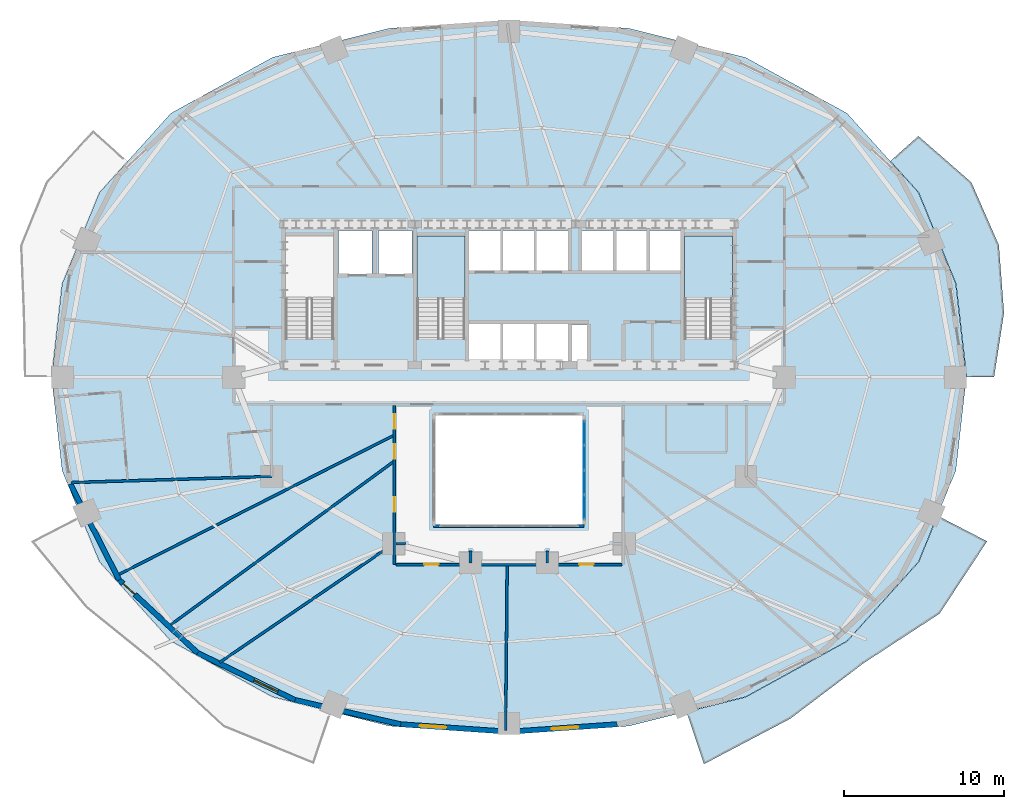
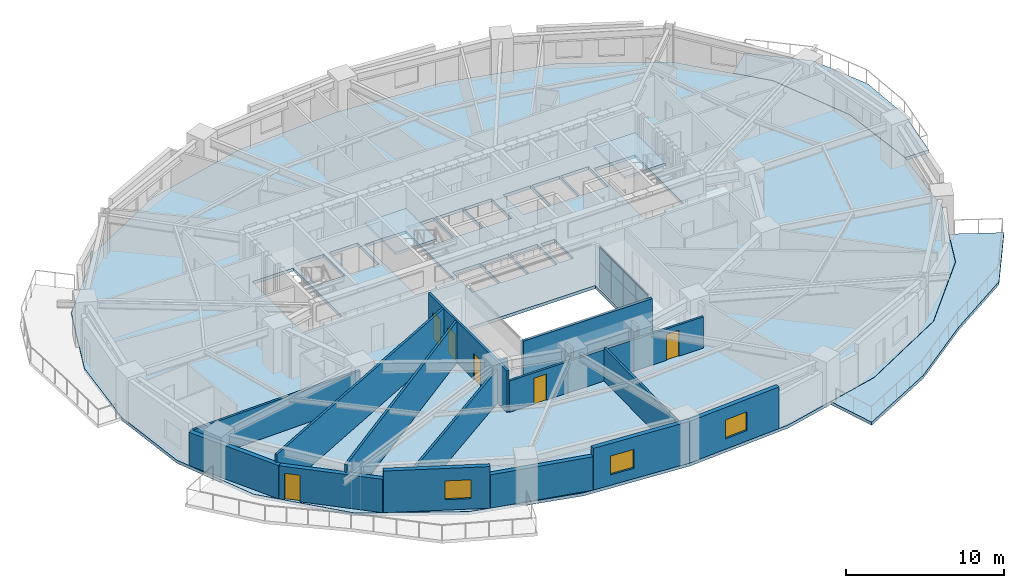
# One storey, part 7 of 15: 17 walls, 8 plates, 6 doors, 5 slabs, 3 windows, 9 openings, 3 elements without a shape of their own.
"""IFC4 building model written with IfcOpenShell, lengths in metres."""

from ifc_helpers import new_model, si_unit, direction, frame, frame_2d, origin, origin_2d, place, context, subcontext, project, spatial, polyline, rectangle, outline, extrude, material, layer, layer_set, type_object, element, fill, aggregate, save


model = new_model("IFC4")

# Units and contexts
model_context = context("Model", 3, precision=1e-05, world=origin(), true_north=direction((0.0, 1.0)))
body_context = subcontext(model_context, "Body", "Model", "MODEL_VIEW")
ifc_project = project(units=[si_unit("LENGTHUNIT", "METRE"), si_unit("AREAUNIT", "SQUARE_METRE"), si_unit("VOLUMEUNIT", "CUBIC_METRE"), si_unit("PLANEANGLEUNIT", "RADIAN"), si_unit("MASSUNIT", "GRAM", prefix="KILO")], contexts=[model_context])

# Site, building, storey
site_placement = place(None, origin())
site = spatial("IfcSite", under=ifc_project, at=site_placement, CompositionType="ELEMENT")
building_placement = place(site_placement, origin())
building = spatial("IfcBuilding", under=site, at=building_placement, Name="Haldorwick Loom Tower", CompositionType="ELEMENT")
storey_placement = place(building_placement, frame((0.0, 0.0, 92.14990234375)))
storey = spatial("IfcBuildingStorey", under=building, at=storey_placement, Name="L24", CompositionType="ELEMENT", Elevation=92.14990234375)

# Curtain wall, plates
ifc_material_1 = material(Name="Thermally Broken Anodized Aluminium Curtain Wall Framing", Category="aluminium")
curtain_wall_type = type_object("IfcCurtainWallType", Name="ARC-CW-03", PredefinedType="NOTDEFINED", material=ifc_material_1)
curtain_wall_placement = place(storey_placement, origin())
curtain_wall = element("IfcCurtainWall", 1, at=curtain_wall_placement, inside=storey, type_object=curtain_wall_type, Name="L24 Atrium Glazed Screen E", PredefinedType="NOTDEFINED")
ifc_material_2 = material(Name="Triple-Glazed Low-E Argon Insulated Glazing Unit", Category="glass")
ifc_layer_1 = layer(ifc_material_2, 0.04296875, Name="Triple-Glazed Low-E Argon Insulated Glazing Unit", Category="glass")
ifc_layer_set_1 = layer_set([ifc_layer_1], Name="Triple-Glazed Low-E Argon Insulated Glazing Unit")
plate_type = type_object("IfcPlateType", Name="ARC-CWP-03", PredefinedType="CURTAIN_PANEL", material=ifc_layer_set_1)
plate_1_placement = place(storey_placement, frame((40.699951171875, 22.508544921875, 0.066162109375), z_axis=(0.0, 0.0, 1.0), x_axis=(0.0, -1.0, 0.0)))
plate_1 = element("IfcPlate", 2, at=plate_1_placement, type_object=plate_type, Name="CW-03 panel 1.1", PredefinedType="CURTAIN_PANEL", context=body_context, shape_type="SweptSolid", body=[
    extrude(rectangle(XDim=1.450927734375, YDim=0.04296875, at=origin_2d()), origin(), (0.0, 0.0, 1.0), 1.90087890625),
])
plate_2_placement = place(storey_placement, frame((40.699951171875, 22.508544921875, 2.033203125), z_axis=(0.0, 0.0, 1.0), x_axis=(0.0, -1.0, 0.0)))
plate_2 = element("IfcPlate", 3, at=plate_2_placement, type_object=plate_type, Name="CW-03 panel 1.2", PredefinedType="CURTAIN_PANEL", context=body_context, shape_type="SweptSolid", body=[
    extrude(rectangle(XDim=1.450927734375, YDim=0.04296875, at=origin_2d()), origin(), (0.0, 0.0, 1.0), 1.111083984375),
])
plate_3_placement = place(storey_placement, frame((40.699951171875, 20.97509765625, 0.066162109375), z_axis=(0.0, 0.0, 1.0), x_axis=(0.0, -1.0, 0.0)))
plate_3 = element("IfcPlate", 4, at=plate_3_placement, type_object=plate_type, Name="CW-03 panel 2.1", PredefinedType="CURTAIN_PANEL", context=body_context, shape_type="SweptSolid", body=[
    extrude(rectangle(XDim=1.48388671875, YDim=0.04296875, at=origin_2d()), origin(), (0.0, 0.0, 1.0), 1.90087890625),
])
plate_4_placement = place(storey_placement, frame((40.699951171875, 20.97509765625, 2.033203125), z_axis=(0.0, 0.0, 1.0), x_axis=(0.0, -1.0, 0.0)))
plate_4 = element("IfcPlate", 5, at=plate_4_placement, type_object=plate_type, Name="CW-03 panel 2.2", PredefinedType="CURTAIN_PANEL", context=body_context, shape_type="SweptSolid", body=[
    extrude(rectangle(XDim=1.48388671875, YDim=0.04296875, at=origin_2d()), origin(), (0.0, 0.0, 1.0), 1.111083984375),
])
plate_5_placement = place(storey_placement, frame((40.699951171875, 19.425048828125, 0.066162109375), z_axis=(0.0, 0.0, 1.0), x_axis=(0.0, -1.0, 0.0)))
plate_5 = element("IfcPlate", 6, at=plate_5_placement, type_object=plate_type, Name="CW-03 panel 3.1", PredefinedType="CURTAIN_PANEL", context=body_context, shape_type="SweptSolid", body=[
    extrude(rectangle(XDim=1.48388671875, YDim=0.04296875, at=origin_2d()), origin(), (0.0, 0.0, 1.0), 1.90087890625),
])
plate_6_placement = place(storey_placement, frame((40.699951171875, 19.425048828125, 2.033203125), z_axis=(0.0, 0.0, 1.0), x_axis=(0.0, -1.0, 0.0)))
plate_6 = element("IfcPlate", 7, at=plate_6_placement, type_object=plate_type, Name="CW-03 panel 3.2", PredefinedType="CURTAIN_PANEL", context=body_context, shape_type="SweptSolid", body=[
    extrude(rectangle(XDim=1.48388671875, YDim=0.04296875, at=origin_2d()), origin(), (0.0, 0.0, 1.0), 1.111083984375),
])
plate_7_placement = place(storey_placement, frame((40.699951171875, 17.8916015625, 0.066162109375), z_axis=(0.0, 0.0, 1.0), x_axis=(0.0, -1.0, 0.0)))
plate_7 = element("IfcPlate", 8, at=plate_7_placement, type_object=plate_type, Name="CW-03 panel 4.1", PredefinedType="CURTAIN_PANEL", context=body_context, shape_type="SweptSolid", body=[
    extrude(rectangle(XDim=1.450927734375, YDim=0.04296875, at=origin_2d()), origin(), (0.0, 0.0, 1.0), 1.90087890625),
])
plate_8_placement = place(storey_placement, frame((40.699951171875, 17.8916015625, 2.033203125), z_axis=(0.0, 0.0, 1.0), x_axis=(0.0, -1.0, 0.0)))
plate_8 = element("IfcPlate", 9, at=plate_8_placement, type_object=plate_type, Name="CW-03 panel 4.2", PredefinedType="CURTAIN_PANEL", context=body_context, shape_type="SweptSolid", body=[
    extrude(rectangle(XDim=1.450927734375, YDim=0.04296875, at=origin_2d()), origin(), (0.0, 0.0, 1.0), 1.111083984375),
])
aggregate(curtain_wall, [plate_1, plate_2, plate_3, plate_4, plate_5, plate_6, plate_7, plate_8])

# Slabs
ifc_material_3 = material(Name="Concrete C40 (40 MPa)", Category="concrete")
ifc_layer_2 = layer(ifc_material_3, 0.239990234375, Name="Concrete C40 (40 MPa)", Category="concrete")
ifc_layer_set_2 = layer_set([ifc_layer_2], Name="Concrete C40 (40 MPa)")
slab_type_1 = type_object("IfcSlabType", Name="STR-SLB-BAL240", PredefinedType="FLOOR", material=ifc_layer_set_2)
slab_1_placement = place(storey_placement, frame((0.0, 0.0, -0.239990234375)))
element("IfcSlab", 10, at=slab_1_placement, inside=storey, type_object=slab_type_1, Name="L24 Sinusoidal Balcony Terrace BAL_SE", PredefinedType="FLOOR", context=body_context, shape_type="SweptSolid", body=[
    extrude(outline(polyline([(62.758544921875, 17.34814453125), (61.580078125, 14.468994140625), (61.579345703125, 14.4677734375), (61.578857421875, 14.466552734375), (61.578125, 14.465576171875), (61.5771484375, 14.464599609375), (57.11279296875, 9.51318359375), (57.11181640625, 9.51220703125), (57.1103515625, 9.510986328125), (57.10888671875, 9.51025390625), (50.767822265625, 6.0244140625), (50.7666015625, 6.023681640625), (50.765380859375, 6.023193359375), (50.76416015625, 6.022705078125), (47.08642578125, 5.10498046875), (48.174560546875, 1.84326171875), (53.555908203125, 4.676025390625), (58.164306640625, 8.16259765625), (62.8779296875, 11.235107421875), (65.848388671875, 15.751708984375), (62.758544921875, 17.34814453125)])), origin(), (0.0, 0.0, 1.0), 0.239990234375),
])
slab_2_placement = place(storey_placement, frame((0.0, 0.0, -0.239990234375)))
element("IfcSlab", 11, at=slab_2_placement, inside=storey, type_object=slab_type_1, Name="L24 Sinusoidal Balcony Terrace BAL_ENE", PredefinedType="FLOOR", context=body_context, shape_type="SweptSolid", body=[
    extrude(outline(polyline([(59.813720703125, 39.4912109375), (61.5771484375, 37.535400390625), (61.578125, 37.534423828125), (61.578857421875, 37.533447265625), (61.579345703125, 37.5322265625), (61.580078125, 37.531005859375), (63.90869140625, 31.841796875), (63.9091796875, 31.840576171875), (63.909423828125, 31.83935546875), (63.90966796875, 31.837890625), (64.572509765625, 26.001708984375), (64.572509765625, 26.0), (66.2841796875, 26.0), (66.90478515625, 30.026123046875), (66.58251953125, 34.246337890625), (64.864501953125, 38.163818359375), (61.560302734375, 41.05126953125), (59.813720703125, 39.4912109375)])), origin(), (0.0, 0.0, 1.0), 0.239990234375),
])

# Stair, slab
stair_type = type_object("IfcStairType", Name="STR-STR-CORE", PredefinedType="HALF_TURN_STAIR", material=ifc_material_3)
stair_1_placement = place(storey_placement, origin())
stair_1 = element("IfcStair", 12, at=stair_1_placement, inside=storey, type_object=stair_type, Name="L24 Exit Stair ST-02", PredefinedType="HALF_TURN_STAIR")
ifc_layer_3 = layer(ifc_material_3, 0.199951171875, Name="Concrete C40 (40 MPa)", Category="concrete")
ifc_layer_set_3 = layer_set([ifc_layer_3], Name="Concrete C40 (40 MPa)")
slab_type_2 = type_object("IfcSlabType", Name="STR-SLB-LAND200", PredefinedType="LANDING", material=ifc_layer_set_3)
slab_3_placement = place(storey_placement, frame((0.0, 0.0, 1.525146484375)))
slab_3 = element("IfcSlab", 13, at=slab_3_placement, type_object=slab_type_2, Name="ST-02 landing 1", PredefinedType="LANDING", context=body_context, shape_type="SweptSolid", body=[
    extrude(outline(polyline([(49.949951171875, 30.919921875), (49.949951171875, 34.800048828125), (46.949951171875, 34.800048828125), (46.949951171875, 30.919921875), (49.949951171875, 30.919921875)])), origin(), (0.0, 0.0, 1.0), 0.199951171875),
])
aggregate(stair_1, [slab_3])

stair_2_placement = place(storey_placement, origin())
stair_2 = element("IfcStair", 14, at=stair_2_placement, inside=storey, type_object=stair_type, Name="L24 Exit Stair ST-03", PredefinedType="HALF_TURN_STAIR")
slab_4_placement = place(storey_placement, frame((0.0, 0.0, 1.525146484375)))
slab_4 = element("IfcSlab", 15, at=slab_4_placement, type_object=slab_type_2, Name="ST-03 landing 1", PredefinedType="LANDING", context=body_context, shape_type="SweptSolid", body=[
    extrude(outline(polyline([(33.25, 30.919921875), (33.25, 34.800048828125), (30.25, 34.800048828125), (30.25, 30.919921875), (33.25, 30.919921875)])), origin(), (0.0, 0.0, 1.0), 0.199951171875),
])
aggregate(stair_2, [slab_4])

# Slab
ifc_layer_4 = layer(ifc_material_3, 0.239990234375, Name="Concrete C40 (40 MPa)", Category="concrete")
ifc_layer_set_4 = layer_set([ifc_layer_4], Name="Concrete C40 (40 MPa)")
slab_type_3 = type_object("IfcSlabType", Name="STR-SLB-RES240", PredefinedType="FLOOR", material=ifc_layer_set_4)
slab_5_placement = place(storey_placement, frame((0.0, 0.0, -0.239990234375)))
element("IfcSlab", 16, at=slab_5_placement, inside=storey, type_object=slab_type_3, Name="L24 Residential Structural Floor Slab", PredefinedType="FLOOR", context=body_context, shape_type="SweptSolid", body=[
    extrude(outline(polyline([(57.101806640625, 9.523193359375), (61.566162109375, 14.474609375), (63.894775390625, 20.163818359375), (64.5576171875, 26.0), (63.894775390625, 31.836181640625), (61.566162109375, 37.525390625), (57.101806640625, 42.476806640625), (50.760498046875, 45.962646484375), (43.474365234375, 47.781005859375), (36.0, 48.29833984375), (28.525634765625, 47.781005859375), (21.239501953125, 45.962646484375), (14.898193359375, 42.476806640625), (10.433837890625, 37.525390625), (8.105224609375, 31.836181640625), (7.4423828125, 26.0), (8.105224609375, 20.163818359375), (10.433837890625, 14.474609375), (14.898193359375, 9.523193359375), (21.239501953125, 6.037353515625), (28.525634765625, 4.218994140625), (36.0, 3.70166015625), (43.474365234375, 4.218994140625), (50.760498046875, 6.037353515625), (57.101806640625, 9.523193359375)]), holes=[polyline([(31.39990234375, 23.60009765625), (40.60009765625, 23.60009765625), (40.60009765625, 16.800048828125), (31.39990234375, 16.800048828125), (31.39990234375, 23.60009765625)]), polyline([(33.5, 26.85009765625), (33.5, 29.35009765625), (35.5, 29.35009765625), (35.5, 26.85009765625), (33.5, 26.85009765625)]), polyline([(22.050048828125, 28.39990234375), (22.050048828125, 34.800048828125), (25.050048828125, 34.800048828125), (25.050048828125, 28.639892578125), (23.6201171875, 28.639892578125), (23.6201171875, 28.39990234375), (22.050048828125, 28.39990234375)]), polyline([(30.25, 28.39990234375), (30.25, 34.800048828125), (33.25, 34.800048828125), (33.25, 28.639892578125), (31.820068359375, 28.639892578125), (31.820068359375, 28.39990234375), (30.25, 28.39990234375)]), polyline([(25.35009765625, 32.449951171875), (25.35009765625, 35.14990234375), (27.449951171875, 35.14990234375), (27.449951171875, 32.449951171875), (25.35009765625, 32.449951171875)]), polyline([(27.85009765625, 32.449951171875), (27.85009765625, 35.14990234375), (29.949951171875, 35.14990234375), (29.949951171875, 32.449951171875), (27.85009765625, 32.449951171875)]), polyline([(33.5, 32.64990234375), (33.5, 35.14990234375), (35.5, 35.14990234375), (35.5, 32.64990234375), (33.5, 32.64990234375)]), polyline([(35.60009765625, 32.64990234375), (35.60009765625, 35.14990234375), (37.60009765625, 35.14990234375), (37.60009765625, 32.64990234375), (35.60009765625, 32.64990234375)]), polyline([(35.60009765625, 26.85009765625), (35.60009765625, 29.35009765625), (37.60009765625, 29.35009765625), (37.60009765625, 26.85009765625), (35.60009765625, 26.85009765625)]), polyline([(37.699951171875, 26.85009765625), (37.699951171875, 29.35009765625), (39.699951171875, 29.35009765625), (39.699951171875, 26.85009765625), (37.699951171875, 26.85009765625)]), polyline([(39.89990234375, 26.89990234375), (39.89990234375, 29.300048828125), (40.89990234375, 29.300048828125), (40.89990234375, 26.89990234375), (39.89990234375, 26.89990234375)]), polyline([(46.949951171875, 28.39990234375), (46.949951171875, 34.800048828125), (49.949951171875, 34.800048828125), (49.949951171875, 28.639892578125), (48.52001953125, 28.639892578125), (48.52001953125, 28.39990234375), (46.949951171875, 28.39990234375)]), polyline([(37.699951171875, 32.64990234375), (37.699951171875, 35.14990234375), (39.699951171875, 35.14990234375), (39.699951171875, 32.64990234375), (37.699951171875, 32.64990234375)]), polyline([(40.550048828125, 32.64990234375), (40.550048828125, 35.14990234375), (42.550048828125, 35.14990234375), (42.550048828125, 32.64990234375), (40.550048828125, 32.64990234375)]), polyline([(42.64990234375, 32.64990234375), (42.64990234375, 35.14990234375), (44.64990234375, 35.14990234375), (44.64990234375, 32.64990234375), (42.64990234375, 32.64990234375)]), polyline([(44.75, 32.64990234375), (44.75, 35.14990234375), (46.75, 35.14990234375), (46.75, 32.64990234375), (44.75, 32.64990234375)])]), origin(), (0.0, 0.0, 1.0), 0.239990234375),
])

# Wall
ifc_material_4 = material(Name="Pressed Clay Face Brick and Insulated Masonry Backup Assembly", Category="masonry")
ifc_layer_5 = layer(ifc_material_4, 0.320068359375, Name="Pressed Clay Face Brick and Insulated Masonry Backup Assembly", Category="masonry")
ifc_layer_set_5 = layer_set([ifc_layer_5], Name="Pressed Clay Face Brick and Insulated Masonry Backup Assembly")
wall_type_1 = type_object("IfcWallType", Name="ARC-WL-EXT320", PredefinedType="STANDARD", material=ifc_layer_set_5)
wall_1_placement = place(storey_placement, frame((8.619384765625, 19.324951171875, 0.0), z_axis=(0.0, 0.0, 1.0), x_axis=(0.453374078001, -0.89132033826, 0.0)))
element("IfcWall", 17, at=wall_1_placement, inside=storey, type_object=wall_type_1, Name="L24 Brick Pier and Spandrel Wall 14", PredefinedType="STANDARD", context=body_context, shape_type="SweptSolid", body=[
    extrude(rectangle(XDim=6.709716796875, YDim=0.320068359375, at=frame_2d((3.35498046875, 0.0))), origin(), (0.0, 0.0, 1.0), 2.569091796875),
])

# Wall, opening, door
wall_2_placement = place(storey_placement, frame((11.661376953125, 13.344482421875, 0.0), z_axis=(0.0, 0.0, 1.0), x_axis=(0.732137360086, -0.681157020052, 0.0)))
wall_2 = element("IfcWall", 18, at=wall_2_placement, inside=storey, type_object=wall_type_1, Name="L24 Brick Pier and Spandrel Wall 15", PredefinedType="STANDARD", context=body_context, shape_type="SweptSolid", body=[
    extrude(rectangle(XDim=6.709228515625, YDim=0.320068359375, at=frame_2d((3.3544921875, 0.0))), origin(), (0.0, 0.0, 1.0), 2.569091796875),
])
opening_1_placement = place(wall_2_placement, frame((0.340087890625, 0.0, 0.0)))
opening_1 = element("IfcOpeningElement", 19, at=opening_1_placement, cuts=wall_2, Name="Opening D-BL10", PredefinedType="OPENING", context=body_context, shape_type="SweptSolid", body=[
    extrude(rectangle(XDim=1.0, YDim=2.0400390625, at=frame_2d((0.5, 1.02001953125))), frame((0.0, 0.169921875, 0.0), z_axis=(0.0, -1.0, 0.0), x_axis=(1.0, 0.0, 0.0)), (0.0, 0.0, 1.0), 0.340087890625),
])
door_type_1 = type_object("IfcDoorType", Name="ARC-DR-BAL100", OperationType="NOTDEFINED", PredefinedType="DOOR", material=ifc_material_1)
door_1_placement = place(opening_1_placement, origin())
door_1 = element("IfcDoor", 20, at=door_1_placement, inside=storey, type_object=door_type_1, Name="L24 Outdoor Terrace Door SLB-L24-BAL_SW", OperationType="SINGLE_SWING_LEFT", OverallHeight=2.0400390625, OverallWidth=1.0, PredefinedType="DOOR", context=body_context, shape_type="SweptSolid", body=[
    extrude(rectangle(XDim=1.0, YDim=2.0400390625, at=frame_2d((0.5, 1.02001953125))), frame((0.0, 0.02490234375, 0.0), z_axis=(0.0, -1.0, 0.0), x_axis=(1.0, 0.0, 0.0)), (0.0, 0.0, 1.0), 0.050048828125),
])
fill(opening_1, door_1)

# Wall, opening, window
wall_3_placement = place(storey_placement, frame((16.573486328125, 8.7744140625, 0.0), z_axis=(0.0, 0.0, 1.0), x_axis=(0.900510094661, -0.434835106004, 0.0)))
wall_3 = element("IfcWall", 21, at=wall_3_placement, inside=storey, type_object=wall_type_1, Name="L24 Brick Pier and Spandrel Wall 16", PredefinedType="STANDARD", context=body_context, shape_type="SweptSolid", body=[
    extrude(rectangle(XDim=6.744873046875, YDim=0.320068359375, at=frame_2d((3.37255859375, 0.0))), origin(), (0.0, 0.0, 1.0), 3.210205078125),
])
opening_2_placement = place(wall_3_placement, frame((3.896484375, 0.0, 0.800048828125)))
opening_2 = element("IfcOpeningElement", 22, at=opening_2_placement, cuts=wall_3, Name="Opening W-01B", PredefinedType="OPENING", context=body_context, shape_type="SweptSolid", body=[
    extrude(rectangle(XDim=1.64990234375, YDim=1.449951171875, at=frame_2d((0.824951171875, 0.72509765625))), frame((0.0, 0.169921875, 0.0), z_axis=(0.0, -1.0, 0.0), x_axis=(1.0, 0.0, 0.0)), (0.0, 0.0, 1.0), 0.340087890625),
])
window_type = type_object("IfcWindowType", Name="ARC-WIN-W165", PartitioningType="SINGLE_PANEL", PredefinedType="WINDOW", material=ifc_material_2)
window_1_placement = place(opening_2_placement, origin())
window_1 = element("IfcWindow", 23, at=window_1_placement, inside=storey, type_object=window_type, Name="L24 Deep-Set Zone 7A Window 16", OverallHeight=1.449951171875, OverallWidth=1.64990234375, PartitioningType="SINGLE_PANEL", PredefinedType="WINDOW", context=body_context, shape_type="SweptSolid", body=[
    extrude(rectangle(XDim=1.64990234375, YDim=1.449951171875, at=frame_2d((0.824951171875, 0.72509765625))), frame((0.0, 0.030029296875, 0.0), z_axis=(0.0, -1.0, 0.0), x_axis=(1.0, 0.0, 0.0)), (0.0, 0.0, 1.0), 0.06005859375),
])
fill(opening_2, window_1)

# Wall
wall_4_placement = place(storey_placement, frame((22.647216796875, 5.841552734375, 0.0), z_axis=(0.0, 0.0, 1.0), x_axis=(0.974584177714, -0.224021607329, 0.0)))
element("IfcWall", 24, at=wall_4_placement, inside=storey, type_object=wall_type_1, Name="L24 Brick Pier and Spandrel Wall 17", PredefinedType="STANDARD", context=body_context, shape_type="SweptSolid", body=[
    extrude(rectangle(XDim=6.767822265625, YDim=0.320068359375, at=frame_2d((3.3837890625, 0.0))), origin(), (0.0, 0.0, 1.0), 2.569091796875),
])

# Wall, opening, window
wall_5_placement = place(storey_placement, frame((29.242919921875, 4.325439453125, 0.0), z_axis=(0.0, 0.0, 1.0), x_axis=(0.997651949344, -0.068487867318, 0.0)))
wall_5 = element("IfcWall", 25, at=wall_5_placement, inside=storey, type_object=wall_type_1, Name="L24 Brick Pier and Spandrel Wall 18", PredefinedType="STANDARD", context=body_context, shape_type="SweptSolid", body=[
    extrude(rectangle(XDim=6.77294921875, YDim=0.320068359375, at=frame_2d((3.386474609375, 0.0))), origin(), (0.0, 0.0, 1.0), 3.210205078125),
])
opening_3_placement = place(wall_5_placement, frame((1.206787109375, 0.0, 0.800048828125)))
opening_3 = element("IfcOpeningElement", 26, at=opening_3_placement, cuts=wall_5, Name="Opening W-01B", PredefinedType="OPENING", context=body_context, shape_type="SweptSolid", body=[
    extrude(rectangle(XDim=1.64990234375, YDim=1.449951171875, at=frame_2d((0.824951171875, 0.72509765625))), frame((0.0, 0.169921875, 0.0), z_axis=(0.0, -1.0, 0.0), x_axis=(1.0, 0.0, 0.0)), (0.0, 0.0, 1.0), 0.340087890625),
])
window_2_placement = place(opening_3_placement, origin())
window_2 = element("IfcWindow", 27, at=window_2_placement, inside=storey, type_object=window_type, Name="L24 Deep-Set Zone 7A Window 18", OverallHeight=1.449951171875, OverallWidth=1.64990234375, PartitioningType="SINGLE_PANEL", PredefinedType="WINDOW", context=body_context, shape_type="SweptSolid", body=[
    extrude(rectangle(XDim=1.64990234375, YDim=1.449951171875, at=frame_2d((0.824951171875, 0.72509765625))), frame((0.0, 0.030029296875, 0.0), z_axis=(0.0, -1.0, 0.0), x_axis=(1.0, 0.0, 0.0)), (0.0, 0.0, 1.0), 0.06005859375),
])
fill(opening_3, window_2)

wall_6_placement = place(storey_placement, frame((36.0, 3.861572265625, 0.0), z_axis=(0.0, 0.0, 1.0), x_axis=(0.997651949344, 0.068487867318, 0.0)))
wall_6 = element("IfcWall", 28, at=wall_6_placement, inside=storey, type_object=wall_type_1, Name="L24 Brick Pier and Spandrel Wall 19", PredefinedType="STANDARD", context=body_context, shape_type="SweptSolid", body=[
    extrude(rectangle(XDim=6.77294921875, YDim=0.320068359375, at=frame_2d((3.386474609375, 0.0))), origin(), (0.0, 0.0, 1.0), 3.210205078125),
])
opening_4_placement = place(wall_6_placement, frame((2.681640625, 0.0, 0.800048828125)))
opening_4 = element("IfcOpeningElement", 29, at=opening_4_placement, cuts=wall_6, Name="Opening W-01B", PredefinedType="OPENING", context=body_context, shape_type="SweptSolid", body=[
    extrude(rectangle(XDim=1.64990234375, YDim=1.449951171875, at=frame_2d((0.824951171875, 0.72509765625))), frame((0.0, 0.169921875, 0.0), z_axis=(0.0, -1.0, 0.0), x_axis=(1.0, 0.0, 0.0)), (0.0, 0.0, 1.0), 0.340087890625),
])
window_3_placement = place(opening_4_placement, origin())
window_3 = element("IfcWindow", 30, at=window_3_placement, inside=storey, type_object=window_type, Name="L24 Deep-Set Zone 7A Window 19", OverallHeight=1.449951171875, OverallWidth=1.64990234375, PartitioningType="SINGLE_PANEL", PredefinedType="WINDOW", context=body_context, shape_type="SweptSolid", body=[
    extrude(rectangle(XDim=1.64990234375, YDim=1.449951171875, at=frame_2d((0.824951171875, 0.72509765625))), frame((0.0, 0.030029296875, 0.0), z_axis=(0.0, -1.0, 0.0), x_axis=(1.0, 0.0, 0.0)), (0.0, 0.0, 1.0), 0.06005859375),
])
fill(opening_4, window_3)

# Wall, openings, doors
ifc_material_5 = material(Name="Fire-Rated Type X Gypsum Stud Assembly EI 60")
ifc_layer_6 = layer(ifc_material_5, 0.159912109375, Name="Fire-Rated Type X Gypsum Stud Assembly EI 60")
ifc_layer_set_6 = layer_set([ifc_layer_6], Name="Fire-Rated Type X Gypsum Stud Assembly EI 60")
wall_type_2 = type_object("IfcWallType", Name="ARC-WL-FIRE160", PredefinedType="PARTITIONING", material=ifc_layer_set_6)
wall_7_placement = place(storey_placement, frame((28.85009765625, 14.300048828125, 0.0), z_axis=(0.0, 0.0, 1.0), x_axis=(0.0, 1.0, 0.0)))
wall_7 = element("IfcWall", 31, at=wall_7_placement, inside=storey, type_object=wall_type_2, Name="L24 Residential Fire Partition L24-CR-AW", PredefinedType="PARTITIONING", context=body_context, shape_type="SweptSolid", body=[
    extrude(rectangle(XDim=9.9169921875, YDim=0.159912109375, at=frame_2d((4.95849609375, 0.0))), origin(), (0.0, 0.0, 1.0), 3.195068359375),
])
opening_5_placement = place(wall_7_placement, frame((3.29638671875, 0.0, 0.0)))
opening_5 = element("IfcOpeningElement", 32, at=opening_5_placement, cuts=wall_7, Name="Opening D-FD60A", PredefinedType="OPENING", context=body_context, shape_type="SweptSolid", body=[
    extrude(rectangle(XDim=0.89990234375, YDim=2.0, at=frame_2d((0.449951171875, 1.0))), frame((0.0, 0.08984375, 0.0), z_axis=(0.0, -1.0, 0.0), x_axis=(1.0, 0.0, 0.0)), (0.0, 0.0, 1.0), 0.179931640625),
])
opening_6_placement = place(wall_7_placement, frame((8.475341796875, 0.0, 0.0)))
opening_6 = element("IfcOpeningElement", 33, at=opening_6_placement, cuts=wall_7, Name="Opening D-FD60A", PredefinedType="OPENING", context=body_context, shape_type="SweptSolid", body=[
    extrude(rectangle(XDim=0.89990234375, YDim=2.0, at=frame_2d((0.449951171875, 1.0))), frame((0.0, 0.08984375, 0.0), z_axis=(0.0, -1.0, 0.0), x_axis=(1.0, 0.0, 0.0)), (0.0, 0.0, 1.0), 0.179931640625),
])
opening_7_placement = place(wall_7_placement, frame((6.60205078125, 0.0, 0.0)))
opening_7 = element("IfcOpeningElement", 34, at=opening_7_placement, cuts=wall_7, Name="Opening D-FD60A", PredefinedType="OPENING", context=body_context, shape_type="SweptSolid", body=[
    extrude(rectangle(XDim=0.89990234375, YDim=2.0, at=frame_2d((0.449951171875, 1.0))), frame((0.0, 0.08984375, 0.0), z_axis=(0.0, -1.0, 0.0), x_axis=(1.0, 0.0, 0.0)), (0.0, 0.0, 1.0), 0.179931640625),
])
ifc_material_6 = material(Name="Hollow Steel Fire Door Assembly", Category="steel")
door_type_2 = type_object("IfcDoorType", Name="ARC-DR-FD60-90", OperationType="NOTDEFINED", PredefinedType="DOOR", material=ifc_material_6)
door_2_placement = place(opening_5_placement, frame((0.89990234375, 0.0, 0.0), z_axis=(0.0, 0.0, 1.0), x_axis=(-1.0, 0.0, 0.0)))
door_2 = element("IfcDoor", 35, at=door_2_placement, inside=storey, type_object=door_type_2, Name="L24 Community Teaching Classroom 7 to L24 South Atrium Corridor Door", OperationType="SINGLE_SWING_LEFT", OverallHeight=2.0, OverallWidth=0.89990234375, PredefinedType="DOOR", context=body_context, shape_type="SweptSolid", body=[
    extrude(rectangle(XDim=0.89990234375, YDim=2.0, at=frame_2d((0.449951171875, 1.0))), frame((0.0, 0.02490234375, 0.0), z_axis=(0.0, -1.0, 0.0), x_axis=(1.0, 0.0, 0.0)), (0.0, 0.0, 1.0), 0.050048828125),
])
fill(opening_5, door_2)
door_3_placement = place(opening_6_placement, frame((0.89990234375, 0.0, 0.0), z_axis=(0.0, 0.0, 1.0), x_axis=(-1.0, 0.0, 0.0)))
door_3 = element("IfcDoor", 36, at=door_3_placement, inside=storey, type_object=door_type_2, Name="L24 Craft Hobby Hall 2 to L24 South Atrium Corridor Door", OperationType="SINGLE_SWING_LEFT", OverallHeight=2.0, OverallWidth=0.89990234375, PredefinedType="DOOR", context=body_context, shape_type="SweptSolid", body=[
    extrude(rectangle(XDim=0.89990234375, YDim=2.0, at=frame_2d((0.449951171875, 1.0))), frame((0.0, 0.02490234375, 0.0), z_axis=(0.0, -1.0, 0.0), x_axis=(1.0, 0.0, 0.0)), (0.0, 0.0, 1.0), 0.050048828125),
])
fill(opening_6, door_3)
door_4_placement = place(opening_7_placement, frame((0.89990234375, 0.0, 0.0), z_axis=(0.0, 0.0, 1.0), x_axis=(-1.0, 0.0, 0.0)))
door_4 = element("IfcDoor", 37, at=door_4_placement, inside=storey, type_object=door_type_2, Name="L24 Community Teaching Classroom 13 to L24 South Atrium Corridor Door", OperationType="SINGLE_SWING_RIGHT", OverallHeight=2.0, OverallWidth=0.89990234375, PredefinedType="DOOR", context=body_context, shape_type="SweptSolid", body=[
    extrude(rectangle(XDim=0.89990234375, YDim=2.0, at=frame_2d((0.449951171875, 1.0))), frame((0.0, 0.02490234375, 0.0), z_axis=(0.0, -1.0, 0.0), x_axis=(1.0, 0.0, 0.0)), (0.0, 0.0, 1.0), 0.050048828125),
])
fill(opening_7, door_4)

wall_8_placement = place(storey_placement, frame((28.93310546875, 14.300048828125, 0.0), z_axis=(0.0, 0.0, 1.0), x_axis=(1.0, 0.0, 0.0)))
wall_8 = element("IfcWall", 38, at=wall_8_placement, inside=storey, type_object=wall_type_2, Name="L24 Residential Fire Partition L24-CR-AS", PredefinedType="PARTITIONING", context=body_context, shape_type="SweptSolid", body=[
    extrude(rectangle(XDim=14.1337890625, YDim=0.159912109375, at=frame_2d((7.06689453125, 0.0))), origin(), (0.0, 0.0, 1.0), 2.412109375),
])
opening_8_placement = place(wall_8_placement, frame((11.447509765625, 0.0, 0.0)))
opening_8 = element("IfcOpeningElement", 39, at=opening_8_placement, cuts=wall_8, Name="Opening D-FD60A", PredefinedType="OPENING", context=body_context, shape_type="SweptSolid", body=[
    extrude(rectangle(XDim=0.89990234375, YDim=2.0, at=frame_2d((0.449951171875, 1.0))), frame((0.0, 0.08984375, 0.0), z_axis=(0.0, -1.0, 0.0), x_axis=(1.0, 0.0, 0.0)), (0.0, 0.0, 1.0), 0.179931640625),
])
opening_9_placement = place(wall_8_placement, frame((1.776123046875, 0.0, 0.0)))
opening_9 = element("IfcOpeningElement", 40, at=opening_9_placement, cuts=wall_8, Name="Opening D-FD60A", PredefinedType="OPENING", context=body_context, shape_type="SweptSolid", body=[
    extrude(rectangle(XDim=0.89990234375, YDim=2.0, at=frame_2d((0.449951171875, 1.0))), frame((0.0, 0.08984375, 0.0), z_axis=(0.0, -1.0, 0.0), x_axis=(1.0, 0.0, 0.0)), (0.0, 0.0, 1.0), 0.179931640625),
])
door_5_placement = place(opening_8_placement, origin())
door_5 = element("IfcDoor", 41, at=door_5_placement, inside=storey, type_object=door_type_2, Name="L24 L24 South Atrium Corridor to Community Teaching Classroom 1 Door", OperationType="SINGLE_SWING_RIGHT", OverallHeight=2.0, OverallWidth=0.89990234375, PredefinedType="DOOR", context=body_context, shape_type="SweptSolid", body=[
    extrude(rectangle(XDim=0.89990234375, YDim=2.0, at=frame_2d((0.449951171875, 1.0))), frame((0.0, 0.02490234375, 0.0), z_axis=(0.0, -1.0, 0.0), x_axis=(1.0, 0.0, 0.0)), (0.0, 0.0, 1.0), 0.050048828125),
])
fill(opening_8, door_5)
door_6_placement = place(opening_9_placement, origin())
door_6 = element("IfcDoor", 42, at=door_6_placement, inside=storey, type_object=door_type_2, Name="L24 L24 South Atrium Corridor to Community Teaching Classroom 4 Door", OperationType="SINGLE_SWING_LEFT", OverallHeight=2.0, OverallWidth=0.89990234375, PredefinedType="DOOR", context=body_context, shape_type="SweptSolid", body=[
    extrude(rectangle(XDim=0.89990234375, YDim=2.0, at=frame_2d((0.449951171875, 1.0))), frame((0.0, 0.02490234375, 0.0), z_axis=(0.0, -1.0, 0.0), x_axis=(1.0, 0.0, 0.0)), (0.0, 0.0, 1.0), 0.050048828125),
])
fill(opening_9, door_6)

# Walls
wall_9_placement = place(storey_placement, frame((28.76708984375, 15.577392578125, 0.0), z_axis=(0.0, 0.0, 1.0), x_axis=(-0.826055143463, -0.563589300784, 0.0)))
element("IfcWall", 43, at=wall_9_placement, inside=storey, type_object=wall_type_2, Name="L24 Residential Fire Partition L24-ICR-08", PredefinedType="PARTITIONING", context=body_context, shape_type="SweptSolid", body=[
    extrude(rectangle(XDim=13.11083984375, YDim=0.159912109375, at=frame_2d((6.555419921875, 0.0))), origin(), (0.0, 0.0, 1.0), 2.568115234375),
])
wall_10_placement = place(storey_placement, frame((21.199951171875, 19.800048828125, 0.0), z_axis=(0.0, 0.0, 1.0), x_axis=(-0.999544229519, -0.030188296326, 0.0)))
element("IfcWall", 44, at=wall_10_placement, inside=storey, type_object=wall_type_2, Name="L24 Residential Fire Partition L24-ICR-10", PredefinedType="PARTITIONING", context=body_context, shape_type="SweptSolid", body=[
    extrude(rectangle(XDim=12.53515625, YDim=0.159912109375, at=frame_2d((6.267578125, 0.0))), origin(), (0.0, 0.0, 1.0), 2.568115234375),
])
for number, where, z_axis, x_axis, name in (
    (45, (38.39990234375, 15.14990234375, 0.0), (0.0, 0.0, 1.0), (0.0, -1.0, 0.0), "L24 Residential Fire Partition L24-ICA-05"),
    (46, (33.60009765625, 15.14990234375, 0.0), (0.0, 0.0, 1.0), (0.0, -1.0, 0.0), "L24 Residential Fire Partition L24-ICA-06"),
):
    element("IfcWall", number, at=place(storey_placement, frame(where, z_axis=z_axis, x_axis=x_axis)), inside=storey, type_object=wall_type_2, Name=name, PredefinedType="PARTITIONING", context=body_context, shape_type="SweptSolid", body=[
        extrude(rectangle(XDim=0.75, YDim=0.159912109375, at=frame_2d((0.375, 0.0))), origin(), (0.0, 0.0, 1.0), 3.195068359375),
    ])
wall_11_placement = place(storey_placement, frame((29.550048828125, 15.60009765625, 0.0), z_axis=(0.0, 0.0, 1.0), x_axis=(-1.0, 0.0, 0.0)))
element("IfcWall", 47, at=wall_11_placement, inside=storey, type_object=wall_type_2, Name="L24 Residential Fire Partition L24-ICA-07", PredefinedType="PARTITIONING", context=body_context, shape_type="SweptSolid", body=[
    extrude(rectangle(XDim=0.616943359375, YDim=0.159912109375, at=frame_2d((0.30859375, 0.0))), origin(), (0.0, 0.0, 1.0), 3.195068359375),
])
wall_12_placement = place(storey_placement, frame((35.88720703125, 14.217041015625, 0.0), z_axis=(0.0, 0.0, 1.0), x_axis=(-0.009574281984, -0.999954165512, 0.0)))
element("IfcWall", 48, at=wall_12_placement, inside=storey, type_object=wall_type_2, Name="L24 Suite Split Wall", PredefinedType="PARTITIONING", context=body_context, shape_type="SweptSolid", body=[
    extrude(rectangle(XDim=10.2763671875, YDim=0.159912109375, at=frame_2d((5.13818359375, 0.0))), origin(), (0.0, 0.0, 1.0), 2.568115234375),
])
wall_13_placement = place(storey_placement, frame((28.76708984375, 22.34228515625, 0.0), z_axis=(0.0, 0.0, 1.0), x_axis=(-0.892377160014, -0.451290376903, 0.0)))
element("IfcWall", 49, at=wall_13_placement, inside=storey, type_object=wall_type_2, Name="L24 Suite Split Wall", PredefinedType="PARTITIONING", context=body_context, shape_type="SweptSolid", body=[
    extrude(rectangle(XDim=19.26123046875, YDim=0.159912109375, at=frame_2d((9.630615234375, 0.0))), origin(), (0.0, 0.0, 1.0), 3.195068359375),
])
wall_14_placement = place(storey_placement, frame((28.76708984375, 20.7041015625, 0.0), z_axis=(0.0, 0.0, 1.0), x_axis=(-0.806852480605, -0.590752972521, 0.0)))
element("IfcWall", 50, at=wall_14_placement, inside=storey, type_object=wall_type_2, Name="L24 Suite Split Wall", PredefinedType="PARTITIONING", context=body_context, shape_type="SweptSolid", body=[
    extrude(rectangle(XDim=17.2841796875, YDim=0.159912109375, at=frame_2d((8.64208984375, 0.0))), origin(), (0.0, 0.0, 1.0), 3.195068359375),
])
ifc_material_7 = material(Name="Fire-Rated Type X Gypsum Stud Assembly EI 120")
ifc_layer_7 = layer(ifc_material_7, 0.199951171875, Name="Fire-Rated Type X Gypsum Stud Assembly EI 120")
ifc_layer_set_7 = layer_set([ifc_layer_7], Name="Fire-Rated Type X Gypsum Stud Assembly EI 120")
wall_type_3 = type_object("IfcWallType", Name="ARC-WL-FIRE200", PredefinedType="PARTITIONING", material=ifc_layer_set_7)
wall_15_placement = place(storey_placement, frame((40.699951171875, 16.699951171875, 0.0), z_axis=(0.0, 0.0, 1.0), x_axis=(-1.0, 0.0, 0.0)))
element("IfcWall", 51, at=wall_15_placement, inside=storey, type_object=wall_type_3, Name="L24 Atrium Fire Enclosure Wall S", PredefinedType="PARTITIONING", context=body_context, shape_type="SweptSolid", body=[
    extrude(rectangle(XDim=9.39990234375, YDim=0.199951171875, at=frame_2d((4.699951171875, 0.0))), origin(), (0.0, 0.0, 1.0), 3.195068359375),
])

save(model, "model.ifc")
